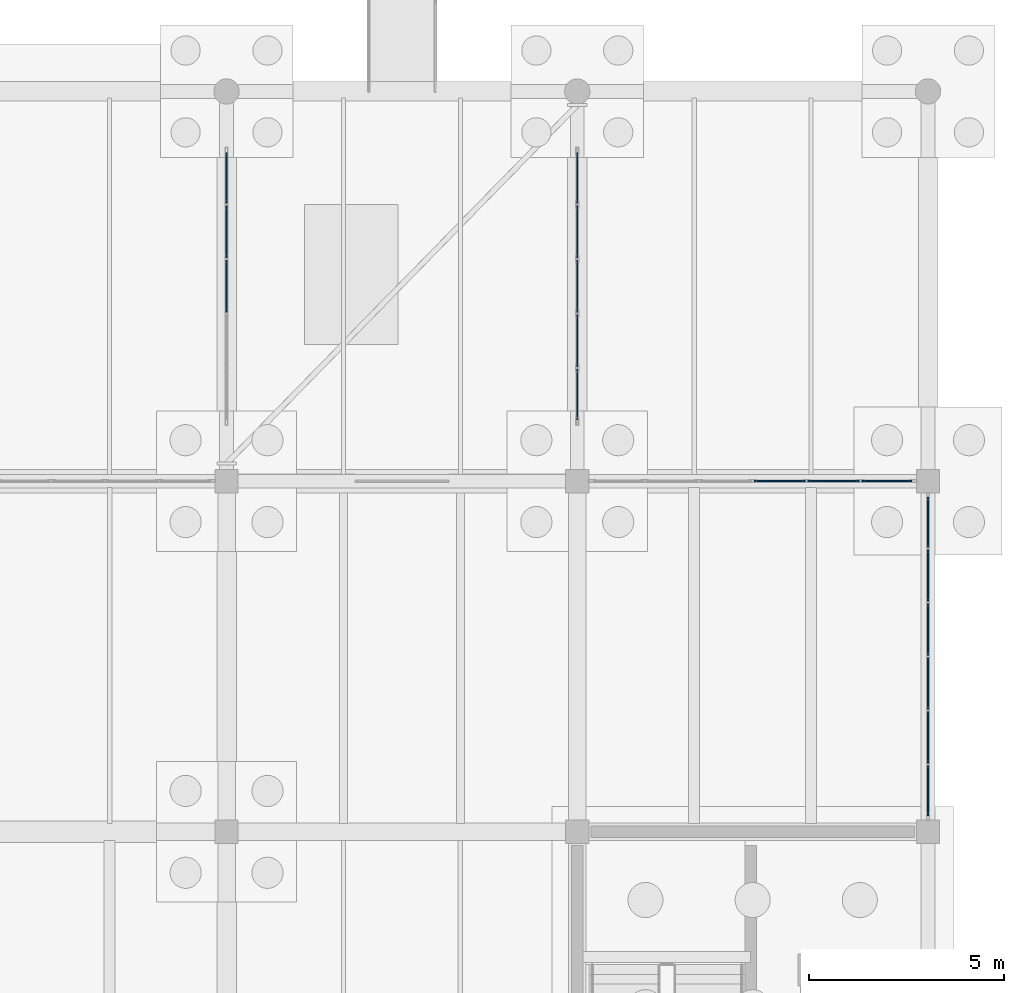
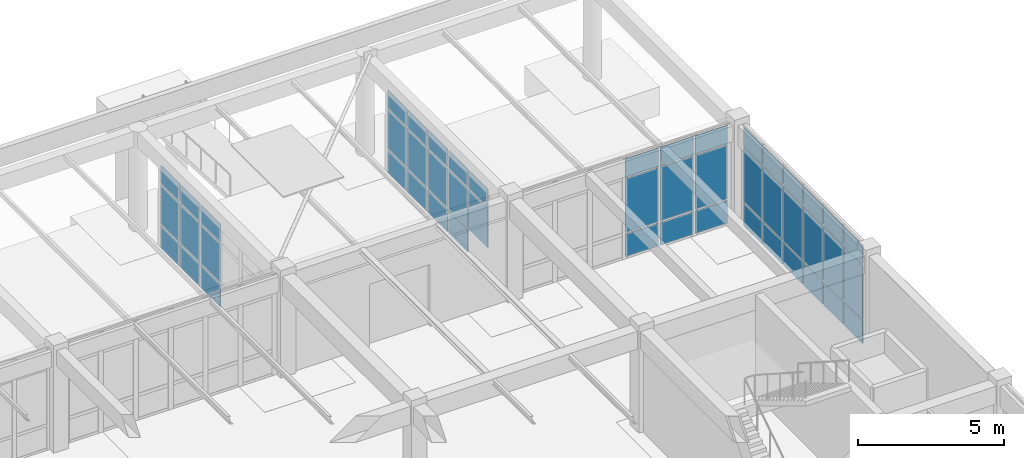
# One storey, part 155 of 186: 50 plates, 4 elements without a shape of their own.
"""IFC4 building model written with IfcOpenShell, lengths in metres."""

from ifc_helpers import new_model, si_unit, direction, frame, origin, origin_2d, place, context, subcontext, project, spatial, rectangle, extrude, material, layer, layer_set, type_object, element, aggregate, save


model = new_model("IFC4")

# Units and contexts
model_context = context("Model", 3, precision=1e-05, world=origin(), true_north=direction((0.0, 1.0)))
body_context = subcontext(model_context, "Body", "Model", "MODEL_VIEW")
ifc_project = project(units=[si_unit("LENGTHUNIT", "METRE"), si_unit("AREAUNIT", "SQUARE_METRE"), si_unit("VOLUMEUNIT", "CUBIC_METRE"), si_unit("PLANEANGLEUNIT", "RADIAN"), si_unit("MASSUNIT", "GRAM", prefix="KILO")], contexts=[model_context])

# Site, building, storey
site_placement = place(None, origin())
site = spatial("IfcSite", under=ifc_project, at=site_placement, CompositionType="ELEMENT")
building_placement = place(site_placement, origin())
building = spatial("IfcBuilding", under=site, at=building_placement, Name="Ornek Quay Market", CompositionType="ELEMENT")
storey_placement = place(building_placement, origin())
storey = spatial("IfcBuildingStorey", under=building, at=storey_placement, Name="L00", CompositionType="ELEMENT", Elevation=0.0)

# Curtain wall, plates
ifc_material_1 = material(Name="Anodised bronze aluminium and triple low-e glass", Category="aluminium")
ifc_layer_1 = layer(ifc_material_1, 0.18994140625, Name="Anodised bronze aluminium and triple low-e glass", Category="aluminium")
ifc_layer_set_1 = layer_set([ifc_layer_1], Name="Anodised bronze aluminium and triple low-e glass")
curtain_wall_type_1 = type_object("IfcCurtainWallType", Name="CW-FC-MOD1500", PredefinedType="USERDEFINED", material=ifc_layer_set_1)
curtain_wall_1_placement = place(storey_placement, origin())
curtain_wall_1 = element("IfcCurtainWall", 1, at=curtain_wall_1_placement, inside=storey, type_object=curtain_wall_type_1, Name="Curtain wall CW-080", ObjectType="CURTAIN WALL", PredefinedType="USERDEFINED")
ifc_material_2 = material(Name="Triple insulated low-e glass", Category="glass")
ifc_layer_2 = layer(ifc_material_2, 0.035888671875, Name="Triple insulated low-e glass", Category="glass")
ifc_layer_set_2 = layer_set([ifc_layer_2], Name="Triple insulated low-e glass")
plate_type = type_object("IfcPlateType", Name="PL-CW-TRIPLE-36", PredefinedType="CURTAIN_PANEL", material=ifc_layer_set_2)
plate_1_placement = place(storey_placement, frame((176.191650390625, 110.0, 0.06494140625), z_axis=(0.0, 0.0, 1.0), x_axis=(1.0, 0.0, 0.0)))
plate_1 = element("IfcPlate", 2, at=plate_1_placement, type_object=plate_type, Name="CW-080 panel 4.1", PredefinedType="CURTAIN_PANEL", context=body_context, shape_type="SweptSolid", body=[
    extrude(rectangle(XDim=1.313232421875, YDim=0.035888671875, at=origin_2d()), origin(), (0.0, 0.0, 1.0), 0.952392578125),
])
plate_2_placement = place(storey_placement, frame((176.191650390625, 110.0, 1.08251953125), z_axis=(0.0, 0.0, 1.0), x_axis=(1.0, 0.0, 0.0)))
plate_2 = element("IfcPlate", 3, at=plate_2_placement, type_object=plate_type, Name="CW-080 panel 4.2", PredefinedType="CURTAIN_PANEL", context=body_context, shape_type="SweptSolid", body=[
    extrude(rectangle(XDim=1.313232421875, YDim=0.035888671875, at=origin_2d()), origin(), (0.0, 0.0, 1.0), 2.264892578125),
])
plate_3_placement = place(storey_placement, frame((176.191650390625, 110.0, 3.41259765625), z_axis=(0.0, 0.0, 1.0), x_axis=(1.0, 0.0, 0.0)))
plate_3 = element("IfcPlate", 4, at=plate_3_placement, type_object=plate_type, Name="CW-080 panel 4.3", PredefinedType="CURTAIN_PANEL", context=body_context, shape_type="SweptSolid", body=[
    extrude(rectangle(XDim=1.313232421875, YDim=0.035888671875, at=origin_2d()), origin(), (0.0, 0.0, 1.0), 0.75244140625),
])
plate_4_placement = place(storey_placement, frame((177.574951171875, 110.0, 0.06494140625), z_axis=(0.0, 0.0, 1.0), x_axis=(1.0, 0.0, 0.0)))
plate_4 = element("IfcPlate", 5, at=plate_4_placement, type_object=plate_type, Name="CW-080 panel 5.1", PredefinedType="CURTAIN_PANEL", context=body_context, shape_type="SweptSolid", body=[
    extrude(rectangle(XDim=1.313232421875, YDim=0.035888671875, at=origin_2d()), origin(), (0.0, 0.0, 1.0), 0.952392578125),
])
plate_5_placement = place(storey_placement, frame((177.574951171875, 110.0, 1.08251953125), z_axis=(0.0, 0.0, 1.0), x_axis=(1.0, 0.0, 0.0)))
plate_5 = element("IfcPlate", 6, at=plate_5_placement, type_object=plate_type, Name="CW-080 panel 5.2", PredefinedType="CURTAIN_PANEL", context=body_context, shape_type="SweptSolid", body=[
    extrude(rectangle(XDim=1.313232421875, YDim=0.035888671875, at=origin_2d()), origin(), (0.0, 0.0, 1.0), 2.264892578125),
])
plate_6_placement = place(storey_placement, frame((177.574951171875, 110.0, 3.41259765625), z_axis=(0.0, 0.0, 1.0), x_axis=(1.0, 0.0, 0.0)))
plate_6 = element("IfcPlate", 7, at=plate_6_placement, type_object=plate_type, Name="CW-080 panel 5.3", PredefinedType="CURTAIN_PANEL", context=body_context, shape_type="SweptSolid", body=[
    extrude(rectangle(XDim=1.313232421875, YDim=0.035888671875, at=origin_2d()), origin(), (0.0, 0.0, 1.0), 0.75244140625),
])
plate_7_placement = place(storey_placement, frame((178.94091796875, 110.0, 0.06494140625), z_axis=(0.0, 0.0, 1.0), x_axis=(1.0, 0.0, 0.0)))
plate_7 = element("IfcPlate", 8, at=plate_7_placement, type_object=plate_type, Name="CW-080 panel 6.1", PredefinedType="CURTAIN_PANEL", context=body_context, shape_type="SweptSolid", body=[
    extrude(rectangle(XDim=1.2783203125, YDim=0.035888671875, at=origin_2d()), origin(), (0.0, 0.0, 1.0), 0.952392578125),
])
plate_8_placement = place(storey_placement, frame((178.94091796875, 110.0, 1.08251953125), z_axis=(0.0, 0.0, 1.0), x_axis=(1.0, 0.0, 0.0)))
plate_8 = element("IfcPlate", 9, at=plate_8_placement, type_object=plate_type, Name="CW-080 panel 6.2", PredefinedType="CURTAIN_PANEL", context=body_context, shape_type="SweptSolid", body=[
    extrude(rectangle(XDim=1.2783203125, YDim=0.035888671875, at=origin_2d()), origin(), (0.0, 0.0, 1.0), 2.264892578125),
])
plate_9_placement = place(storey_placement, frame((178.94091796875, 110.0, 3.41259765625), z_axis=(0.0, 0.0, 1.0), x_axis=(1.0, 0.0, 0.0)))
plate_9 = element("IfcPlate", 10, at=plate_9_placement, type_object=plate_type, Name="CW-080 panel 6.3", PredefinedType="CURTAIN_PANEL", context=body_context, shape_type="SweptSolid", body=[
    extrude(rectangle(XDim=1.2783203125, YDim=0.035888671875, at=origin_2d()), origin(), (0.0, 0.0, 1.0), 0.75244140625),
])
aggregate(curtain_wall_1, [plate_1, plate_2, plate_3, plate_4, plate_5, plate_6, plate_7, plate_8, plate_9])

curtain_wall_2_placement = place(storey_placement, origin())
curtain_wall_2 = element("IfcCurtainWall", 11, at=curtain_wall_2_placement, inside=storey, type_object=curtain_wall_type_1, Name="Curtain wall CW-082", ObjectType="CURTAIN WALL", PredefinedType="USERDEFINED")
plate_10_placement = place(storey_placement, frame((180.0, 102.057861328125, 0.06494140625), z_axis=(0.0, 0.0, 1.0), x_axis=(0.0, 1.0, 0.0)))
plate_10 = element("IfcPlate", 12, at=plate_10_placement, type_object=plate_type, Name="CW-082 panel 1.1", PredefinedType="CURTAIN_PANEL", context=body_context, shape_type="SweptSolid", body=[
    extrude(rectangle(XDim=1.285888671875, YDim=0.035888671875, at=origin_2d()), origin(), (0.0, 0.0, 1.0), 0.952392578125),
])
plate_11_placement = place(storey_placement, frame((180.0, 102.057861328125, 1.08251953125), z_axis=(0.0, 0.0, 1.0), x_axis=(0.0, 1.0, 0.0)))
plate_11 = element("IfcPlate", 13, at=plate_11_placement, type_object=plate_type, Name="CW-082 panel 1.2", PredefinedType="CURTAIN_PANEL", context=body_context, shape_type="SweptSolid", body=[
    extrude(rectangle(XDim=1.285888671875, YDim=0.035888671875, at=origin_2d()), origin(), (0.0, 0.0, 1.0), 2.264892578125),
])
plate_12_placement = place(storey_placement, frame((180.0, 102.057861328125, 3.41259765625), z_axis=(0.0, 0.0, 1.0), x_axis=(0.0, 1.0, 0.0)))
plate_12 = element("IfcPlate", 14, at=plate_12_placement, type_object=plate_type, Name="CW-082 panel 1.3", PredefinedType="CURTAIN_PANEL", context=body_context, shape_type="SweptSolid", body=[
    extrude(rectangle(XDim=1.285888671875, YDim=0.035888671875, at=origin_2d()), origin(), (0.0, 0.0, 1.0), 0.75244140625),
])
plate_13_placement = place(storey_placement, frame((180.0, 103.425048828125, 0.06494140625), z_axis=(0.0, 0.0, 1.0), x_axis=(0.0, 1.0, 0.0)))
plate_13 = element("IfcPlate", 15, at=plate_13_placement, type_object=plate_type, Name="CW-082 panel 2.1", PredefinedType="CURTAIN_PANEL", context=body_context, shape_type="SweptSolid", body=[
    extrude(rectangle(XDim=1.318359375, YDim=0.035888671875, at=origin_2d()), origin(), (0.0, 0.0, 1.0), 0.952392578125),
])
plate_14_placement = place(storey_placement, frame((180.0, 103.425048828125, 1.08251953125), z_axis=(0.0, 0.0, 1.0), x_axis=(0.0, 1.0, 0.0)))
plate_14 = element("IfcPlate", 16, at=plate_14_placement, type_object=plate_type, Name="CW-082 panel 2.2", PredefinedType="CURTAIN_PANEL", context=body_context, shape_type="SweptSolid", body=[
    extrude(rectangle(XDim=1.318359375, YDim=0.035888671875, at=origin_2d()), origin(), (0.0, 0.0, 1.0), 2.264892578125),
])
plate_15_placement = place(storey_placement, frame((180.0, 103.425048828125, 3.41259765625), z_axis=(0.0, 0.0, 1.0), x_axis=(0.0, 1.0, 0.0)))
plate_15 = element("IfcPlate", 17, at=plate_15_placement, type_object=plate_type, Name="CW-082 panel 2.3", PredefinedType="CURTAIN_PANEL", context=body_context, shape_type="SweptSolid", body=[
    extrude(rectangle(XDim=1.318359375, YDim=0.035888671875, at=origin_2d()), origin(), (0.0, 0.0, 1.0), 0.75244140625),
])
plate_16_placement = place(storey_placement, frame((180.0, 104.808349609375, 0.06494140625), z_axis=(0.0, 0.0, 1.0), x_axis=(0.0, 1.0, 0.0)))
plate_16 = element("IfcPlate", 18, at=plate_16_placement, type_object=plate_type, Name="CW-082 panel 3.1", PredefinedType="CURTAIN_PANEL", context=body_context, shape_type="SweptSolid", body=[
    extrude(rectangle(XDim=1.318359375, YDim=0.035888671875, at=origin_2d()), origin(), (0.0, 0.0, 1.0), 0.952392578125),
])
plate_17_placement = place(storey_placement, frame((180.0, 104.808349609375, 1.08251953125), z_axis=(0.0, 0.0, 1.0), x_axis=(0.0, 1.0, 0.0)))
plate_17 = element("IfcPlate", 19, at=plate_17_placement, type_object=plate_type, Name="CW-082 panel 3.2", PredefinedType="CURTAIN_PANEL", context=body_context, shape_type="SweptSolid", body=[
    extrude(rectangle(XDim=1.318359375, YDim=0.035888671875, at=origin_2d()), origin(), (0.0, 0.0, 1.0), 2.264892578125),
])
plate_18_placement = place(storey_placement, frame((180.0, 104.808349609375, 3.41259765625), z_axis=(0.0, 0.0, 1.0), x_axis=(0.0, 1.0, 0.0)))
plate_18 = element("IfcPlate", 20, at=plate_18_placement, type_object=plate_type, Name="CW-082 panel 3.3", PredefinedType="CURTAIN_PANEL", context=body_context, shape_type="SweptSolid", body=[
    extrude(rectangle(XDim=1.318359375, YDim=0.035888671875, at=origin_2d()), origin(), (0.0, 0.0, 1.0), 0.75244140625),
])
plate_19_placement = place(storey_placement, frame((180.0, 106.191650390625, 0.06494140625), z_axis=(0.0, 0.0, 1.0), x_axis=(0.0, 1.0, 0.0)))
plate_19 = element("IfcPlate", 21, at=plate_19_placement, type_object=plate_type, Name="CW-082 panel 4.1", PredefinedType="CURTAIN_PANEL", context=body_context, shape_type="SweptSolid", body=[
    extrude(rectangle(XDim=1.318359375, YDim=0.035888671875, at=origin_2d()), origin(), (0.0, 0.0, 1.0), 0.952392578125),
])
plate_20_placement = place(storey_placement, frame((180.0, 106.191650390625, 1.08251953125), z_axis=(0.0, 0.0, 1.0), x_axis=(0.0, 1.0, 0.0)))
plate_20 = element("IfcPlate", 22, at=plate_20_placement, type_object=plate_type, Name="CW-082 panel 4.2", PredefinedType="CURTAIN_PANEL", context=body_context, shape_type="SweptSolid", body=[
    extrude(rectangle(XDim=1.318359375, YDim=0.035888671875, at=origin_2d()), origin(), (0.0, 0.0, 1.0), 2.264892578125),
])
plate_21_placement = place(storey_placement, frame((180.0, 106.191650390625, 3.41259765625), z_axis=(0.0, 0.0, 1.0), x_axis=(0.0, 1.0, 0.0)))
plate_21 = element("IfcPlate", 23, at=plate_21_placement, type_object=plate_type, Name="CW-082 panel 4.3", PredefinedType="CURTAIN_PANEL", context=body_context, shape_type="SweptSolid", body=[
    extrude(rectangle(XDim=1.318359375, YDim=0.035888671875, at=origin_2d()), origin(), (0.0, 0.0, 1.0), 0.75244140625),
])
plate_22_placement = place(storey_placement, frame((180.0, 107.574951171875, 0.06494140625), z_axis=(0.0, 0.0, 1.0), x_axis=(0.0, 1.0, 0.0)))
plate_22 = element("IfcPlate", 24, at=plate_22_placement, type_object=plate_type, Name="CW-082 panel 5.1", PredefinedType="CURTAIN_PANEL", context=body_context, shape_type="SweptSolid", body=[
    extrude(rectangle(XDim=1.318359375, YDim=0.035888671875, at=origin_2d()), origin(), (0.0, 0.0, 1.0), 0.952392578125),
])
plate_23_placement = place(storey_placement, frame((180.0, 107.574951171875, 1.08251953125), z_axis=(0.0, 0.0, 1.0), x_axis=(0.0, 1.0, 0.0)))
plate_23 = element("IfcPlate", 25, at=plate_23_placement, type_object=plate_type, Name="CW-082 panel 5.2", PredefinedType="CURTAIN_PANEL", context=body_context, shape_type="SweptSolid", body=[
    extrude(rectangle(XDim=1.318359375, YDim=0.035888671875, at=origin_2d()), origin(), (0.0, 0.0, 1.0), 2.264892578125),
])
plate_24_placement = place(storey_placement, frame((180.0, 107.574951171875, 3.41259765625), z_axis=(0.0, 0.0, 1.0), x_axis=(0.0, 1.0, 0.0)))
plate_24 = element("IfcPlate", 26, at=plate_24_placement, type_object=plate_type, Name="CW-082 panel 5.3", PredefinedType="CURTAIN_PANEL", context=body_context, shape_type="SweptSolid", body=[
    extrude(rectangle(XDim=1.318359375, YDim=0.035888671875, at=origin_2d()), origin(), (0.0, 0.0, 1.0), 0.75244140625),
])
plate_25_placement = place(storey_placement, frame((180.0, 108.942138671875, 0.06494140625), z_axis=(0.0, 0.0, 1.0), x_axis=(0.0, 1.0, 0.0)))
plate_25 = element("IfcPlate", 27, at=plate_25_placement, type_object=plate_type, Name="CW-082 panel 6.1", PredefinedType="CURTAIN_PANEL", context=body_context, shape_type="SweptSolid", body=[
    extrude(rectangle(XDim=1.285888671875, YDim=0.035888671875, at=origin_2d()), origin(), (0.0, 0.0, 1.0), 0.952392578125),
])
plate_26_placement = place(storey_placement, frame((180.0, 108.942138671875, 1.08251953125), z_axis=(0.0, 0.0, 1.0), x_axis=(0.0, 1.0, 0.0)))
plate_26 = element("IfcPlate", 28, at=plate_26_placement, type_object=plate_type, Name="CW-082 panel 6.2", PredefinedType="CURTAIN_PANEL", context=body_context, shape_type="SweptSolid", body=[
    extrude(rectangle(XDim=1.285888671875, YDim=0.035888671875, at=origin_2d()), origin(), (0.0, 0.0, 1.0), 2.264892578125),
])
plate_27_placement = place(storey_placement, frame((180.0, 108.942138671875, 3.41259765625), z_axis=(0.0, 0.0, 1.0), x_axis=(0.0, 1.0, 0.0)))
plate_27 = element("IfcPlate", 29, at=plate_27_placement, type_object=plate_type, Name="CW-082 panel 6.3", PredefinedType="CURTAIN_PANEL", context=body_context, shape_type="SweptSolid", body=[
    extrude(rectangle(XDim=1.285888671875, YDim=0.035888671875, at=origin_2d()), origin(), (0.0, 0.0, 1.0), 0.75244140625),
])
aggregate(curtain_wall_2, [plate_10, plate_11, plate_12, plate_13, plate_14, plate_15, plate_16, plate_17, plate_18, plate_19, plate_20, plate_21, plate_22, plate_23, plate_24, plate_25, plate_26, plate_27])

ifc_layer_3 = layer(ifc_material_1, 0.219970703125, Name="Anodised bronze aluminium and triple low-e glass", Category="aluminium")
ifc_layer_set_3 = layer_set([ifc_layer_3], Name="Anodised bronze aluminium and triple low-e glass")
curtain_wall_type_2 = type_object("IfcCurtainWallType", Name="CW-PORCH-MOD1500", PredefinedType="USERDEFINED", material=ifc_layer_set_3)
curtain_wall_3_placement = place(storey_placement, origin())
curtain_wall_3 = element("IfcCurtainWall", 30, at=curtain_wall_3_placement, inside=storey, type_object=curtain_wall_type_2, Name="Curtain wall CW-157", ObjectType="CURTAIN WALL", PredefinedType="USERDEFINED")
plate_28_placement = place(storey_placement, frame((162.0, 115.0, 0.06982421875), z_axis=(0.0, 0.0, 1.0), x_axis=(0.0, 1.0, 0.0)))
plate_28 = element("IfcPlate", 31, at=plate_28_placement, type_object=plate_type, Name="CW-157 panel 3.1", PredefinedType="CURTAIN_PANEL", context=body_context, shape_type="SweptSolid", body=[
    extrude(rectangle(XDim=1.330078125, YDim=0.035888671875, at=origin_2d()), origin(), (0.0, 0.0, 1.0), 0.945068359375),
])
plate_29_placement = place(storey_placement, frame((162.0, 115.0, 1.0849609375), z_axis=(0.0, 0.0, 1.0), x_axis=(0.0, 1.0, 0.0)))
plate_29 = element("IfcPlate", 32, at=plate_29_placement, type_object=plate_type, Name="CW-157 panel 3.2", PredefinedType="CURTAIN_PANEL", context=body_context, shape_type="SweptSolid", body=[
    extrude(rectangle(XDim=1.330078125, YDim=0.035888671875, at=origin_2d()), origin(), (0.0, 0.0, 1.0), 1.6298828125),
])
plate_30_placement = place(storey_placement, frame((162.0, 115.0, 2.784912109375), z_axis=(0.0, 0.0, 1.0), x_axis=(0.0, 1.0, 0.0)))
plate_30 = element("IfcPlate", 33, at=plate_30_placement, type_object=plate_type, Name="CW-157 panel 3.3", PredefinedType="CURTAIN_PANEL", context=body_context, shape_type="SweptSolid", body=[
    extrude(rectangle(XDim=1.330078125, YDim=0.035888671875, at=origin_2d()), origin(), (0.0, 0.0, 1.0), 0.7451171875),
])
plate_31_placement = place(storey_placement, frame((162.0, 116.39990234375, 0.06982421875), z_axis=(0.0, 0.0, 1.0), x_axis=(0.0, 1.0, 0.0)))
plate_31 = element("IfcPlate", 34, at=plate_31_placement, type_object=plate_type, Name="CW-157 panel 4.1", PredefinedType="CURTAIN_PANEL", context=body_context, shape_type="SweptSolid", body=[
    extrude(rectangle(XDim=1.330078125, YDim=0.035888671875, at=origin_2d()), origin(), (0.0, 0.0, 1.0), 0.945068359375),
])
plate_32_placement = place(storey_placement, frame((162.0, 116.39990234375, 1.0849609375), z_axis=(0.0, 0.0, 1.0), x_axis=(0.0, 1.0, 0.0)))
plate_32 = element("IfcPlate", 35, at=plate_32_placement, type_object=plate_type, Name="CW-157 panel 4.2", PredefinedType="CURTAIN_PANEL", context=body_context, shape_type="SweptSolid", body=[
    extrude(rectangle(XDim=1.330078125, YDim=0.035888671875, at=origin_2d()), origin(), (0.0, 0.0, 1.0), 1.6298828125),
])
plate_33_placement = place(storey_placement, frame((162.0, 116.39990234375, 2.784912109375), z_axis=(0.0, 0.0, 1.0), x_axis=(0.0, 1.0, 0.0)))
plate_33 = element("IfcPlate", 36, at=plate_33_placement, type_object=plate_type, Name="CW-157 panel 4.3", PredefinedType="CURTAIN_PANEL", context=body_context, shape_type="SweptSolid", body=[
    extrude(rectangle(XDim=1.330078125, YDim=0.035888671875, at=origin_2d()), origin(), (0.0, 0.0, 1.0), 0.7451171875),
])
plate_34_placement = place(storey_placement, frame((162.0, 117.782470703125, 0.06982421875), z_axis=(0.0, 0.0, 1.0), x_axis=(0.0, 1.0, 0.0)))
plate_34 = element("IfcPlate", 37, at=plate_34_placement, type_object=plate_type, Name="CW-157 panel 5.1", PredefinedType="CURTAIN_PANEL", context=body_context, shape_type="SweptSolid", body=[
    extrude(rectangle(XDim=1.294921875, YDim=0.035888671875, at=origin_2d()), origin(), (0.0, 0.0, 1.0), 0.945068359375),
])
plate_35_placement = place(storey_placement, frame((162.0, 117.782470703125, 1.0849609375), z_axis=(0.0, 0.0, 1.0), x_axis=(0.0, 1.0, 0.0)))
plate_35 = element("IfcPlate", 38, at=plate_35_placement, type_object=plate_type, Name="CW-157 panel 5.2", PredefinedType="CURTAIN_PANEL", context=body_context, shape_type="SweptSolid", body=[
    extrude(rectangle(XDim=1.294921875, YDim=0.035888671875, at=origin_2d()), origin(), (0.0, 0.0, 1.0), 1.6298828125),
])
plate_36_placement = place(storey_placement, frame((162.0, 117.782470703125, 2.784912109375), z_axis=(0.0, 0.0, 1.0), x_axis=(0.0, 1.0, 0.0)))
plate_36 = element("IfcPlate", 39, at=plate_36_placement, type_object=plate_type, Name="CW-157 panel 5.3", PredefinedType="CURTAIN_PANEL", context=body_context, shape_type="SweptSolid", body=[
    extrude(rectangle(XDim=1.294921875, YDim=0.035888671875, at=origin_2d()), origin(), (0.0, 0.0, 1.0), 0.7451171875),
])
aggregate(curtain_wall_3, [plate_28, plate_29, plate_30, plate_31, plate_32, plate_33, plate_34, plate_35, plate_36])

curtain_wall_4_placement = place(storey_placement, origin())
curtain_wall_4 = element("IfcCurtainWall", 40, at=curtain_wall_4_placement, inside=storey, type_object=curtain_wall_type_2, Name="Curtain wall CW-158", ObjectType="CURTAIN WALL", PredefinedType="USERDEFINED")
plate_37_placement = place(storey_placement, frame((171.0, 112.217529296875, 1.0849609375), z_axis=(0.0, 0.0, 1.0), x_axis=(0.0, 1.0, 0.0)))
plate_37 = element("IfcPlate", 41, at=plate_37_placement, type_object=plate_type, Name="CW-158 panel 1.2", PredefinedType="CURTAIN_PANEL", context=body_context, shape_type="SweptSolid", body=[
    extrude(rectangle(XDim=1.294921875, YDim=0.035888671875, at=origin_2d()), origin(), (0.0, 0.0, 1.0), 1.6298828125),
])
plate_38_placement = place(storey_placement, frame((171.0, 112.217529296875, 2.784912109375), z_axis=(0.0, 0.0, 1.0), x_axis=(0.0, 1.0, 0.0)))
plate_38 = element("IfcPlate", 42, at=plate_38_placement, type_object=plate_type, Name="CW-158 panel 1.3", PredefinedType="CURTAIN_PANEL", context=body_context, shape_type="SweptSolid", body=[
    extrude(rectangle(XDim=1.294921875, YDim=0.035888671875, at=origin_2d()), origin(), (0.0, 0.0, 1.0), 0.7451171875),
])
plate_39_placement = place(storey_placement, frame((171.0, 113.60009765625, 0.06982421875), z_axis=(0.0, 0.0, 1.0), x_axis=(0.0, 1.0, 0.0)))
plate_39 = element("IfcPlate", 43, at=plate_39_placement, type_object=plate_type, Name="CW-158 panel 2.1", PredefinedType="CURTAIN_PANEL", context=body_context, shape_type="SweptSolid", body=[
    extrude(rectangle(XDim=1.330078125, YDim=0.035888671875, at=origin_2d()), origin(), (0.0, 0.0, 1.0), 0.945068359375),
])
plate_40_placement = place(storey_placement, frame((171.0, 113.60009765625, 1.0849609375), z_axis=(0.0, 0.0, 1.0), x_axis=(0.0, 1.0, 0.0)))
plate_40 = element("IfcPlate", 44, at=plate_40_placement, type_object=plate_type, Name="CW-158 panel 2.2", PredefinedType="CURTAIN_PANEL", context=body_context, shape_type="SweptSolid", body=[
    extrude(rectangle(XDim=1.330078125, YDim=0.035888671875, at=origin_2d()), origin(), (0.0, 0.0, 1.0), 1.6298828125),
])
plate_41_placement = place(storey_placement, frame((171.0, 113.60009765625, 2.784912109375), z_axis=(0.0, 0.0, 1.0), x_axis=(0.0, 1.0, 0.0)))
plate_41 = element("IfcPlate", 45, at=plate_41_placement, type_object=plate_type, Name="CW-158 panel 2.3", PredefinedType="CURTAIN_PANEL", context=body_context, shape_type="SweptSolid", body=[
    extrude(rectangle(XDim=1.330078125, YDim=0.035888671875, at=origin_2d()), origin(), (0.0, 0.0, 1.0), 0.7451171875),
])
plate_42_placement = place(storey_placement, frame((171.0, 115.0, 0.06982421875), z_axis=(0.0, 0.0, 1.0), x_axis=(0.0, 1.0, 0.0)))
plate_42 = element("IfcPlate", 46, at=plate_42_placement, type_object=plate_type, Name="CW-158 panel 3.1", PredefinedType="CURTAIN_PANEL", context=body_context, shape_type="SweptSolid", body=[
    extrude(rectangle(XDim=1.330078125, YDim=0.035888671875, at=origin_2d()), origin(), (0.0, 0.0, 1.0), 0.945068359375),
])
plate_43_placement = place(storey_placement, frame((171.0, 115.0, 1.0849609375), z_axis=(0.0, 0.0, 1.0), x_axis=(0.0, 1.0, 0.0)))
plate_43 = element("IfcPlate", 47, at=plate_43_placement, type_object=plate_type, Name="CW-158 panel 3.2", PredefinedType="CURTAIN_PANEL", context=body_context, shape_type="SweptSolid", body=[
    extrude(rectangle(XDim=1.330078125, YDim=0.035888671875, at=origin_2d()), origin(), (0.0, 0.0, 1.0), 1.6298828125),
])
plate_44_placement = place(storey_placement, frame((171.0, 115.0, 2.784912109375), z_axis=(0.0, 0.0, 1.0), x_axis=(0.0, 1.0, 0.0)))
plate_44 = element("IfcPlate", 48, at=plate_44_placement, type_object=plate_type, Name="CW-158 panel 3.3", PredefinedType="CURTAIN_PANEL", context=body_context, shape_type="SweptSolid", body=[
    extrude(rectangle(XDim=1.330078125, YDim=0.035888671875, at=origin_2d()), origin(), (0.0, 0.0, 1.0), 0.7451171875),
])
plate_45_placement = place(storey_placement, frame((171.0, 116.39990234375, 0.06982421875), z_axis=(0.0, 0.0, 1.0), x_axis=(0.0, 1.0, 0.0)))
plate_45 = element("IfcPlate", 49, at=plate_45_placement, type_object=plate_type, Name="CW-158 panel 4.1", PredefinedType="CURTAIN_PANEL", context=body_context, shape_type="SweptSolid", body=[
    extrude(rectangle(XDim=1.330078125, YDim=0.035888671875, at=origin_2d()), origin(), (0.0, 0.0, 1.0), 0.945068359375),
])
plate_46_placement = place(storey_placement, frame((171.0, 116.39990234375, 1.0849609375), z_axis=(0.0, 0.0, 1.0), x_axis=(0.0, 1.0, 0.0)))
plate_46 = element("IfcPlate", 50, at=plate_46_placement, type_object=plate_type, Name="CW-158 panel 4.2", PredefinedType="CURTAIN_PANEL", context=body_context, shape_type="SweptSolid", body=[
    extrude(rectangle(XDim=1.330078125, YDim=0.035888671875, at=origin_2d()), origin(), (0.0, 0.0, 1.0), 1.6298828125),
])
plate_47_placement = place(storey_placement, frame((171.0, 116.39990234375, 2.784912109375), z_axis=(0.0, 0.0, 1.0), x_axis=(0.0, 1.0, 0.0)))
plate_47 = element("IfcPlate", 51, at=plate_47_placement, type_object=plate_type, Name="CW-158 panel 4.3", PredefinedType="CURTAIN_PANEL", context=body_context, shape_type="SweptSolid", body=[
    extrude(rectangle(XDim=1.330078125, YDim=0.035888671875, at=origin_2d()), origin(), (0.0, 0.0, 1.0), 0.7451171875),
])
plate_48_placement = place(storey_placement, frame((171.0, 117.782470703125, 0.06982421875), z_axis=(0.0, 0.0, 1.0), x_axis=(0.0, 1.0, 0.0)))
plate_48 = element("IfcPlate", 52, at=plate_48_placement, type_object=plate_type, Name="CW-158 panel 5.1", PredefinedType="CURTAIN_PANEL", context=body_context, shape_type="SweptSolid", body=[
    extrude(rectangle(XDim=1.294921875, YDim=0.035888671875, at=origin_2d()), origin(), (0.0, 0.0, 1.0), 0.945068359375),
])
plate_49_placement = place(storey_placement, frame((171.0, 117.782470703125, 1.0849609375), z_axis=(0.0, 0.0, 1.0), x_axis=(0.0, 1.0, 0.0)))
plate_49 = element("IfcPlate", 53, at=plate_49_placement, type_object=plate_type, Name="CW-158 panel 5.2", PredefinedType="CURTAIN_PANEL", context=body_context, shape_type="SweptSolid", body=[
    extrude(rectangle(XDim=1.294921875, YDim=0.035888671875, at=origin_2d()), origin(), (0.0, 0.0, 1.0), 1.6298828125),
])
plate_50_placement = place(storey_placement, frame((171.0, 117.782470703125, 2.784912109375), z_axis=(0.0, 0.0, 1.0), x_axis=(0.0, 1.0, 0.0)))
plate_50 = element("IfcPlate", 54, at=plate_50_placement, type_object=plate_type, Name="CW-158 panel 5.3", PredefinedType="CURTAIN_PANEL", context=body_context, shape_type="SweptSolid", body=[
    extrude(rectangle(XDim=1.294921875, YDim=0.035888671875, at=origin_2d()), origin(), (0.0, 0.0, 1.0), 0.7451171875),
])
aggregate(curtain_wall_4, [plate_37, plate_38, plate_39, plate_40, plate_41, plate_42, plate_43, plate_44, plate_45, plate_46, plate_47, plate_48, plate_49, plate_50])

save(model, "model.ifc")
